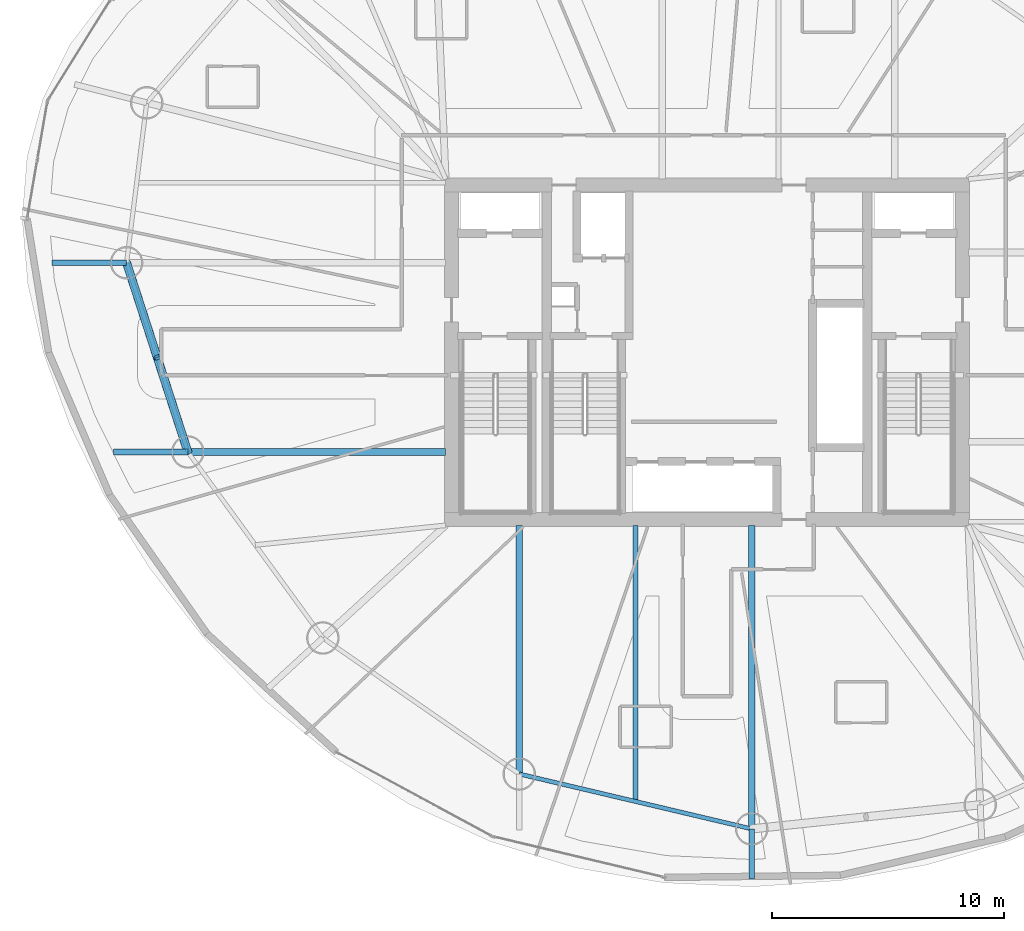
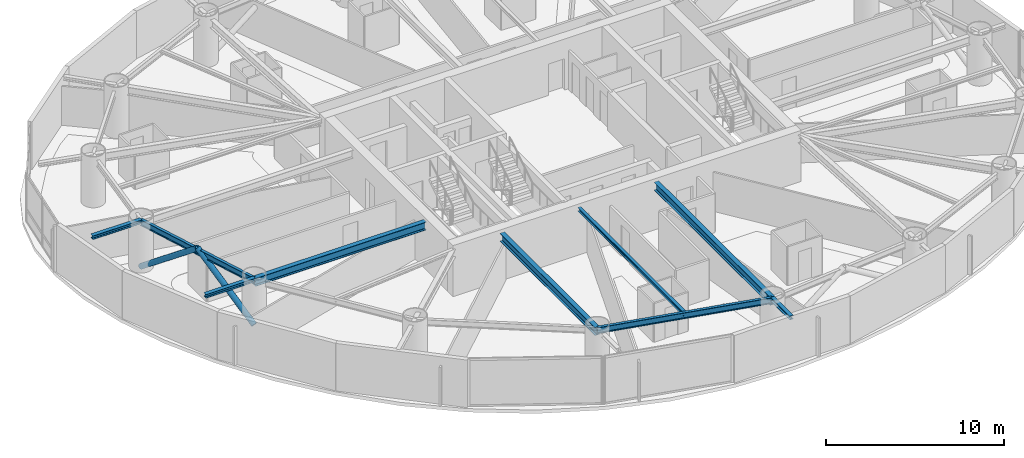
# One storey, part 4 of 22: 9 beams, 2 members.
"""IFC4 building model written with IfcOpenShell, lengths in metres."""

from ifc_helpers import new_model, si_unit, direction, frame, origin, origin_2d, place, context, subcontext, project, spatial, hollow_circle, i_section, extrude, material, material_profile, profile_set, type_object, element, save


model = new_model("IFC4")

# Units and contexts
model_context = context("Model", 3, precision=1e-05, world=origin(), true_north=direction((0.0, 1.0)))
body_context = subcontext(model_context, "Body", "Model", "MODEL_VIEW")
ifc_project = project(units=[si_unit("LENGTHUNIT", "METRE"), si_unit("AREAUNIT", "SQUARE_METRE"), si_unit("VOLUMEUNIT", "CUBIC_METRE"), si_unit("PLANEANGLEUNIT", "RADIAN"), si_unit("MASSUNIT", "GRAM", prefix="KILO")], contexts=[model_context])

# Site, building, storey
site_placement = place(None, origin())
site = spatial("IfcSite", under=ifc_project, at=site_placement, CompositionType="ELEMENT")
building_placement = place(site_placement, origin())
building = spatial("IfcBuilding", under=site, at=building_placement, Name="Bramvorn Convention Spire", CompositionType="ELEMENT")
storey_placement = place(building_placement, frame((0.0, 0.0, 116.800048828125)))
storey = spatial("IfcBuildingStorey", under=building, at=storey_placement, Name="L28", CompositionType="ELEMENT", Elevation=116.800048828125)

# Beams
ifc_material = material(Name="Steel CSA G40.21 Grade 350 (350W)", Category="steel")
ifc_material_profile_1 = material_profile(ifc_material, i_section(OverallWidth=0.201904296875, OverallDepth=0.2470703125, WebThickness=0.00732421875, FlangeThickness=0.010986328125, FilletRadius=0.011962890625, at=origin_2d()))
ifc_profile_set_1 = profile_set([ifc_material_profile_1], Name="Steel CSA G40.21 Grade 350 (350W) - W250X49")
beam_type_1 = type_object("IfcBeamType", Name="BM-W250X49", PredefinedType="JOIST", material=ifc_profile_set_1)
beam_1_placement = place(storey_placement, frame((34.920654296875, 18.550048828125, 3.136474609375), z_axis=(0.0, -1.0, 0.0), x_axis=(1.0, 0.0, 0.0)))
element("IfcBeam", 1, at=beam_1_placement, inside=storey, type_object=beam_type_1, Name="L28 composite floor joist 13", PredefinedType="JOIST", context=body_context, shape_type="SweptSolid", body=[
    extrude(i_section(OverallWidth=0.201904296875, OverallDepth=0.2470703125, WebThickness=0.00732421875, FlangeThickness=0.010986328125, FilletRadius=0.011962890625, at=origin_2d()), origin(), (0.0, 0.0, 1.0), 11.8857421875),
])
ifc_material_profile_2 = material_profile(ifc_material, i_section(OverallWidth=0.25390625, OverallDepth=0.2529296875, WebThickness=0.008544921875, FlangeThickness=0.01416015625, FilletRadius=0.011962890625, at=origin_2d()))
ifc_profile_set_2 = profile_set([ifc_material_profile_2], Name="Steel CSA G40.21 Grade 350 (350W) - W250X73")
beam_type_2 = type_object("IfcBeamType", Name="BM-W250X73", PredefinedType="BEAM", material=ifc_profile_set_2)
for number, where, z_axis, x_axis, name in (
    (2, (13.016357421875, 29.851806640625, 3.133544921875), (-1.0, 0.0, 0.0), (0.0, -1.0, 0.0), "L28 slab-edge cantilever tip beam MC10"),
    (3, (15.654296875, 21.706787109375, 3.133544921875), (-1.0, 0.0, 0.0), (0.0, -1.0, 0.0), "L28 slab-edge cantilever tip beam MC11"),
):
    element("IfcBeam", number, at=place(storey_placement, frame(where, z_axis=z_axis, x_axis=x_axis)), inside=storey, type_object=beam_type_2, Name=name, PredefinedType="BEAM", context=body_context, shape_type="SweptSolid", body=[
        extrude(i_section(OverallWidth=0.25390625, OverallDepth=0.2529296875, WebThickness=0.008544921875, FlangeThickness=0.01416015625, FilletRadius=0.011962890625, at=origin_2d()), origin(), (0.0, 0.0, 1.0), 3.199951171875),
    ])
beam_2_placement = place(storey_placement, frame((39.924072265625, 5.482666015625, 3.133544921875), z_axis=(0.0, -1.0, 0.0), x_axis=(1.0, 0.0, 0.0)))
element("IfcBeam", 4, at=beam_2_placement, inside=storey, type_object=beam_type_2, Name="L28 slab-edge cantilever tip beam MC14", PredefinedType="BEAM", context=body_context, shape_type="SweptSolid", body=[
    extrude(i_section(OverallWidth=0.25390625, OverallDepth=0.2529296875, WebThickness=0.008544921875, FlangeThickness=0.01416015625, FilletRadius=0.011962890625, at=origin_2d()), origin(), (0.0, 0.0, 1.0), 2.154541015625),
])
ifc_material_profile_3 = material_profile(ifc_material, i_section(OverallWidth=0.180908203125, OverallDepth=0.4169921875, WebThickness=0.010986328125, FlangeThickness=0.018310546875, FilletRadius=0.01611328125, at=origin_2d()))
ifc_profile_set_3 = profile_set([ifc_material_profile_3], Name="Steel CSA G40.21 Grade 350 (350W) - W410X85")
beam_type_3 = type_object("IfcBeamType", Name="BM-W410X85", PredefinedType="JOIST", material=ifc_profile_set_3)
beam_3_placement = place(storey_placement, frame((13.016357421875, 29.851806640625, 3.051513671875), z_axis=(0.308114853612, -0.951349166701, 0.0), x_axis=(0.951349166701, 0.308114853612, 0.0)))
element("IfcBeam", 5, at=beam_3_placement, inside=storey, type_object=beam_type_3, Name="L28 mega-column ring beam 10", PredefinedType="JOIST", context=body_context, shape_type="SweptSolid", body=[
    extrude(i_section(OverallWidth=0.180908203125, OverallDepth=0.4169921875, WebThickness=0.010986328125, FlangeThickness=0.018310546875, FilletRadius=0.01611328125, at=origin_2d()), origin(), (0.0, 0.0, 1.0), 8.5615234375),
])
beam_4_placement = place(storey_placement, frame((29.917236328125, 7.845947265625, 3.051513671875), z_axis=(0.97322750491, -0.229843911572, 0.0), x_axis=(0.229843911572, 0.97322750491, 0.0)))
element("IfcBeam", 6, at=beam_4_placement, inside=storey, type_object=beam_type_3, Name="L28 mega-column ring beam 13", PredefinedType="JOIST", context=body_context, shape_type="SweptSolid", body=[
    extrude(i_section(OverallWidth=0.180908203125, OverallDepth=0.4169921875, WebThickness=0.010986328125, FlangeThickness=0.018310546875, FilletRadius=0.01611328125, at=origin_2d()), origin(), (0.0, 0.0, 1.0), 10.2822265625),
])
ifc_material_profile_4 = material_profile(ifc_material, i_section(OverallWidth=0.2919921875, OverallDepth=0.551025390625, WebThickness=0.01513671875, FlangeThickness=0.0244140625, FilletRadius=0.01904296875, at=origin_2d()))
ifc_profile_set_4 = profile_set([ifc_material_profile_4], Name="Steel CSA G40.21 Grade 350 (350W) - W530X182")
beam_type_4 = type_object("IfcBeamType", Name="BM-W530X182", PredefinedType="BEAM", material=ifc_profile_set_4)
beam_5_placement = place(storey_placement, frame((26.75, 21.706787109375, 2.984375), z_axis=(-1.0, 0.0, 0.0), x_axis=(0.0, -1.0, 0.0)))
element("IfcBeam", 7, at=beam_5_placement, inside=storey, type_object=beam_type_4, Name="L28 radial floor girder MC11", PredefinedType="BEAM", context=body_context, shape_type="SweptSolid", body=[
    extrude(i_section(OverallWidth=0.2919921875, OverallDepth=0.551025390625, WebThickness=0.01513671875, FlangeThickness=0.0244140625, FilletRadius=0.01904296875, at=origin_2d()), origin(), (0.0, 0.0, 1.0), 11.095703125),
])
beam_6_placement = place(storey_placement, frame((29.917236328125, 18.550048828125, 2.984375), z_axis=(0.0, -1.0, 0.0), x_axis=(1.0, 0.0, 0.0)))
element("IfcBeam", 8, at=beam_6_placement, inside=storey, type_object=beam_type_4, Name="L28 radial floor girder MC13", PredefinedType="BEAM", context=body_context, shape_type="SweptSolid", body=[
    extrude(i_section(OverallWidth=0.2919921875, OverallDepth=0.551025390625, WebThickness=0.01513671875, FlangeThickness=0.0244140625, FilletRadius=0.01904296875, at=origin_2d()), origin(), (0.0, 0.0, 1.0), 10.7041015625),
])
beam_7_placement = place(storey_placement, frame((39.924072265625, 18.550048828125, 2.984375), z_axis=(0.0, -1.0, 0.0), x_axis=(1.0, 0.0, 0.0)))
element("IfcBeam", 9, at=beam_7_placement, inside=storey, type_object=beam_type_4, Name="L28 radial floor girder MC14", PredefinedType="BEAM", context=body_context, shape_type="SweptSolid", body=[
    extrude(i_section(OverallWidth=0.2919921875, OverallDepth=0.551025390625, WebThickness=0.01513671875, FlangeThickness=0.0244140625, FilletRadius=0.01904296875, at=origin_2d()), origin(), (0.0, 0.0, 1.0), 13.0673828125),
])

# Members
ifc_material_profile_5 = material_profile(ifc_material, hollow_circle(Radius=0.177734375, WallThickness=0.015869140625, at=origin_2d()))
ifc_profile_set_5 = profile_set([ifc_material_profile_5], Name="Steel CSA G40.21 Grade 350 (350W) - CHS356X16")
member_type = type_object("IfcMemberType", Name="MBR-CHS356X16", PredefinedType="BRACE", material=ifc_profile_set_5)
for number, where, z_axis, x_axis, name in (
    (10, (13.016357421875, 29.851806640625, 0.0), (0.245105274589, -0.75686802766, 0.605866481227), (0.951357525158, 0.308089044476, 0.0), "L28 perimeter Gothic lancet brace 10A"),
    (11, (15.654296875, 21.706787109375, 0.0), (-0.245147921079, 0.756859609759, 0.605859742768), (-0.951340807692, -0.308140662068, 0.0), "L28 perimeter Gothic lancet brace 10B"),
):
    element("IfcMember", number, at=place(storey_placement, frame(where, z_axis=z_axis, x_axis=x_axis)), inside=storey, type_object=member_type, Name=name, PredefinedType="BRACE", context=body_context, shape_type="SweptSolid", body=[
        extrude(hollow_circle(Radius=0.177734375, WallThickness=0.015869140625, at=origin_2d()), origin(), (0.0, 0.0, 1.0), 5.380859375),
    ])

save(model, "model.ifc")
